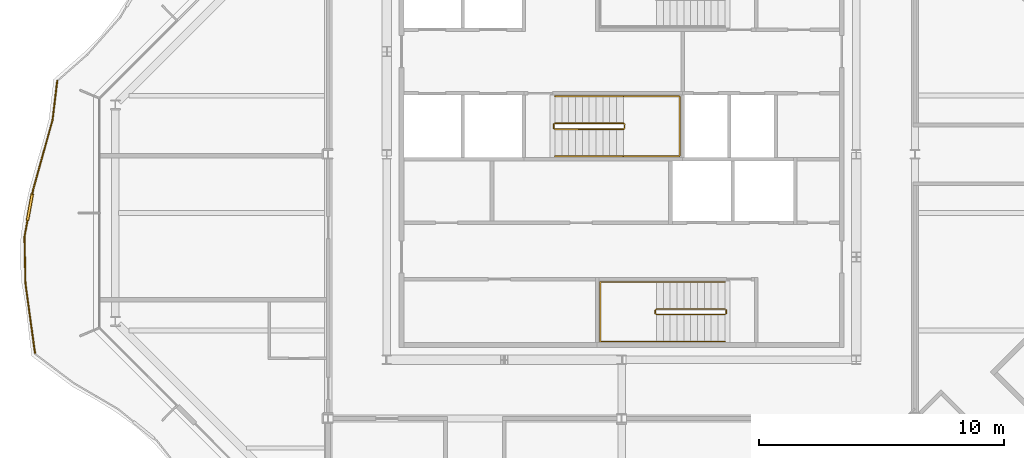
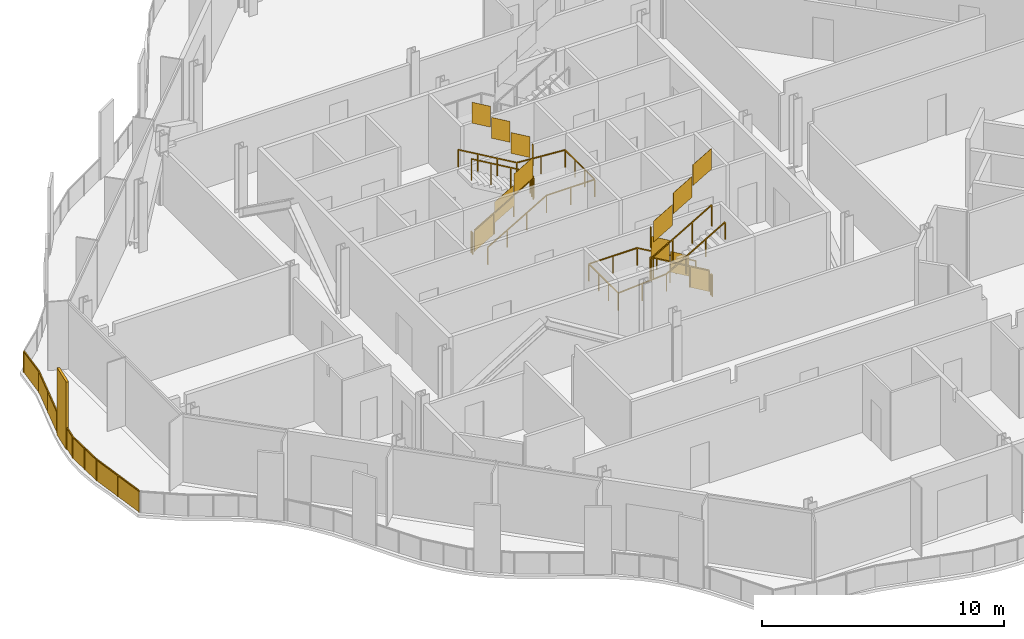
# One storey, part 14 of 17: 7 railings.
"""IFC4 building model written with IfcOpenShell, lengths in metres."""

from ifc_helpers import new_model, si_unit, direction, frame, origin, origin_2d, place, context, subcontext, project, spatial, polyline, rectangle, outline, extrude, material, type_object, element, save


model = new_model("IFC4")

# Units and contexts
model_context = context("Model", 3, precision=1e-05, world=origin(), true_north=direction((0.0, 1.0)))
body_context = subcontext(model_context, "Body", "Model", "MODEL_VIEW")
ifc_project = project(units=[si_unit("LENGTHUNIT", "METRE"), si_unit("AREAUNIT", "SQUARE_METRE"), si_unit("VOLUMEUNIT", "CUBIC_METRE"), si_unit("PLANEANGLEUNIT", "RADIAN"), si_unit("MASSUNIT", "GRAM", prefix="KILO")], contexts=[model_context])

# Site, building, storey
site_placement = place(None, origin())
site = spatial("IfcSite", under=ifc_project, at=site_placement, CompositionType="ELEMENT")
building_placement = place(site_placement, origin())
building = spatial("IfcBuilding", under=site, at=building_placement, Name="Cairn Pilgrim Tower", CompositionType="ELEMENT")
storey_placement = place(building_placement, frame((0.0, 0.0, 243.0)))
storey = spatial("IfcBuildingStorey", under=building, at=storey_placement, Name="L62", CompositionType="ELEMENT", Elevation=243.0)

# Railings
ifc_material_1 = material(Name="Bronze anodised aluminium rail, posts and fin screens with laminated glass infill", Category="aluminium")
railing_type_1 = type_object("IfcRailingType", Name="BALCONY GUARD WITH FIN SCREENS", PredefinedType="GUARDRAIL", material=ifc_material_1)
railing_1_placement = place(storey_placement, frame((-15.87744140625, 5.396240234375, 0.0)))
element("IfcRailing", 1, at=railing_1_placement, inside=storey, type_object=railing_type_1, Name="Balcony guard BGF-6 with fin screens", PredefinedType="GUARDRAIL", context=body_context, shape_type="SweptSolid", body=[
    extrude(rectangle(XDim=0.050048828125, YDim=0.050048828125, at=origin_2d()), frame((0.0, 0.0, 1.0751953125), z_axis=(-0.118047753881, -0.993007919306, 0.0), x_axis=(0.993007919306, -0.118047753881, 0.0)), (0.0, 0.0, 1.0), 1.5966796875),
    extrude(rectangle(XDim=0.050048828125, YDim=0.050048828125, at=origin_2d()), frame((-0.1884765625, -1.58544921875, 1.0751953125), z_axis=(-0.26848056208, -0.963285102026, 0.0), x_axis=(0.963285102026, -0.26848056208, 0.0)), (0.0, 0.0, 1.0), 2.994384765625),
    extrude(rectangle(XDim=1.10009765625, YDim=0.110107421875, at=origin_2d()), frame((-1.117431640625, -5.158447265625, 0.0), z_axis=(0.0, 0.0, 1.0), x_axis=(-0.178684983345, -0.983906335343, 0.0)), (0.0, 0.0, 1.0), 3.39990234375),
    extrude(rectangle(XDim=0.050048828125, YDim=0.050048828125, at=origin_2d()), frame((-0.992431640625, -4.469970703125, 1.0751953125), z_axis=(-0.178684983345, -0.983906335343, 0.0), x_axis=(0.983906335343, -0.178684983345, 0.0)), (0.0, 0.0, 1.0), 0.149658203125),
    extrude(rectangle(XDim=0.050048828125, YDim=0.050048828125, at=origin_2d()), frame((-1.2158203125, -5.699462890625, 1.0751953125), z_axis=(-0.178684983345, -0.983906335343, 0.0), x_axis=(0.983906335343, -0.178684983345, 0.0)), (0.0, 0.0, 1.0), 0.679443359375),
    extrude(rectangle(XDim=0.050048828125, YDim=0.050048828125, at=origin_2d()), frame((-1.337158203125, -6.3681640625, 1.0751953125), z_axis=(0.020078340876, -0.999798409795, 0.0), x_axis=(0.999798409795, 0.020078340876, 0.0)), (0.0, 0.0, 1.0), 1.89697265625),
    extrude(rectangle(XDim=0.050048828125, YDim=0.050048828125, at=origin_2d()), frame((-1.299072265625, -8.2646484375, 1.0751953125), z_axis=(0.135455995671, -0.990783363423, 0.0), x_axis=(0.990783363423, 0.135455995671, 0.0)), (0.0, 0.0, 1.0), 2.8603515625),
    extrude(rectangle(XDim=0.050048828125, YDim=0.050048828125, at=origin_2d()), origin(), (0.0, 0.0, 1.0), 1.050048828125),
    extrude(rectangle(XDim=0.050048828125, YDim=0.050048828125, at=origin_2d()), frame((-0.1884765625, -1.58544921875, 0.0)), (0.0, 0.0, 1.0), 1.050048828125),
    extrude(rectangle(XDim=0.050048828125, YDim=0.050048828125, at=origin_2d()), frame((-0.59033203125, -3.02783203125, 0.0)), (0.0, 0.0, 1.0), 1.050048828125),
    extrude(rectangle(XDim=0.050048828125, YDim=0.050048828125, at=origin_2d()), frame((-0.992431640625, -4.469970703125, 0.0)), (0.0, 0.0, 1.0), 1.050048828125),
    extrude(rectangle(XDim=0.050048828125, YDim=0.050048828125, at=origin_2d()), frame((-1.0146484375, -4.5927734375, 0.0)), (0.0, 0.0, 1.0), 1.050048828125),
    extrude(rectangle(XDim=0.050048828125, YDim=0.050048828125, at=origin_2d()), frame((-1.22021484375, -5.72412109375, 0.0)), (0.0, 0.0, 1.0), 1.050048828125),
    extrude(rectangle(XDim=0.050048828125, YDim=0.050048828125, at=origin_2d()), frame((-1.337158203125, -6.3681640625, 0.0)), (0.0, 0.0, 1.0), 1.050048828125),
    extrude(rectangle(XDim=0.050048828125, YDim=0.050048828125, at=origin_2d()), frame((-1.318115234375, -7.31640625, 0.0)), (0.0, 0.0, 1.0), 1.050048828125),
    extrude(rectangle(XDim=0.050048828125, YDim=0.050048828125, at=origin_2d()), frame((-1.299072265625, -8.2646484375, 0.0)), (0.0, 0.0, 1.0), 1.050048828125),
    extrude(rectangle(XDim=0.050048828125, YDim=0.050048828125, at=origin_2d()), frame((-1.10546875, -9.681640625, 0.0)), (0.0, 0.0, 1.0), 1.050048828125),
    extrude(rectangle(XDim=0.050048828125, YDim=0.050048828125, at=origin_2d()), frame((-0.91162109375, -11.0986328125, 0.0)), (0.0, 0.0, 1.0), 1.050048828125),
    extrude(outline(polyline([(0.02490234375, 0.0), (1.571533203125, 0.0), (1.571533203125, 1.050048828125), (0.02490234375, 1.050048828125), (0.02490234375, 0.0)])), frame((0.005859375, -0.000732421875, 0.0), z_axis=(-0.993007919306, 0.118047753881, 0.0), x_axis=(-0.118047753881, -0.993007919306, 0.0)), (0.0, 0.0, 1.0), 0.011962890625),
    extrude(outline(polyline([(0.02490234375, 0.0), (1.47216796875, 0.0), (1.47216796875, 1.050048828125), (0.02490234375, 1.050048828125), (0.02490234375, 0.0)])), frame((-0.1826171875, -1.587158203125, 0.0), z_axis=(-0.963285102026, 0.26848056208, 0.0), x_axis=(-0.26848056208, -0.963285102026, 0.0)), (0.0, 0.0, 1.0), 0.011962890625),
    extrude(outline(polyline([(0.02490234375, 0.0), (1.47216796875, 0.0), (1.47216796875, 1.050048828125), (0.02490234375, 1.050048828125), (0.02490234375, 0.0)])), frame((-0.584716796875, -3.029296875, 0.0), z_axis=(-0.963285102026, 0.26848056208, 0.0), x_axis=(-0.26848056208, -0.963285102026, 0.0)), (0.0, 0.0, 1.0), 0.011962890625),
    extrude(outline(polyline([(0.02490234375, 0.0), (0.099609375, 0.0), (0.099609375, 1.050048828125), (0.02490234375, 1.050048828125), (0.02490234375, 0.0)])), frame((-0.986572265625, -4.470947265625, 0.0), z_axis=(-0.983906335343, 0.178684983345, 0.0), x_axis=(-0.178684983345, -0.983906335343, 0.0)), (0.0, 0.0, 1.0), 0.011962890625),
    extrude(outline(polyline([(0.02490234375, 0.0), (0.62939453125, 0.0), (0.62939453125, 1.050048828125), (0.02490234375, 1.050048828125), (0.02490234375, 0.0)])), frame((-1.21435546875, -5.725341796875, 0.0), z_axis=(-0.983906335343, 0.178684983345, 0.0), x_axis=(-0.178684983345, -0.983906335343, 0.0)), (0.0, 0.0, 1.0), 0.011962890625),
    extrude(outline(polyline([(0.02490234375, 0.0), (0.92333984375, 0.0), (0.92333984375, 1.050048828125), (0.02490234375, 1.050048828125), (0.02490234375, 0.0)])), frame((-1.331298828125, -6.3681640625, 0.0), z_axis=(-0.999798409795, -0.020078340876, 0.0), x_axis=(0.020078340876, -0.999798409795, 0.0)), (0.0, 0.0, 1.0), 0.011962890625),
    extrude(outline(polyline([(0.02490234375, 0.0), (0.92333984375, 0.0), (0.92333984375, 1.050048828125), (0.02490234375, 1.050048828125), (0.02490234375, 0.0)])), frame((-1.312255859375, -7.31640625, 0.0), z_axis=(-0.999798409795, -0.020078340876, 0.0), x_axis=(0.020078340876, -0.999798409795, 0.0)), (0.0, 0.0, 1.0), 0.011962890625),
    extrude(outline(polyline([(0.02490234375, 0.0), (1.405029296875, 0.0), (1.405029296875, 1.050048828125), (0.02490234375, 1.050048828125), (0.02490234375, 0.0)])), frame((-1.293212890625, -8.263916015625, 0.0), z_axis=(-0.990783363423, -0.135455995671, 0.0), x_axis=(0.135455995671, -0.990783363423, 0.0)), (0.0, 0.0, 1.0), 0.011962890625),
    extrude(outline(polyline([(0.02490234375, 0.0), (1.405029296875, 0.0), (1.405029296875, 1.050048828125), (0.02490234375, 1.050048828125), (0.02490234375, 0.0)])), frame((-1.099365234375, -9.680908203125, 0.0), z_axis=(-0.990783363423, -0.135455995671, 0.0), x_axis=(0.135455995671, -0.990783363423, 0.0)), (0.0, 0.0, 1.0), 0.011962890625),
])
ifc_material_2 = material(Name="Painted steel", Category="steel")
railing_type_2 = type_object("IfcRailingType", Name="STAIR GUARD 1100", PredefinedType="GUARDRAIL", material=ifc_material_2)
railing_2_placement = place(storey_placement, frame((11.425048828125, -3.925048828125, 0.16357421875)))
element("IfcRailing", 2, at=railing_2_placement, inside=storey, type_object=railing_type_2, Name="L62 ST-A stair guard 1", PredefinedType="GUARDRAIL", context=body_context, shape_type="SweptSolid", body=[
    extrude(rectangle(XDim=0.048095703125, YDim=0.048095703125, at=origin_2d()), frame((0.0, 0.0, 1.076171875), z_axis=(-0.863360870873, 0.0, 0.504586966384), x_axis=(0.0, -1.0, 0.0)), (0.0, 0.0, 1.0), 3.2431640625),
    extrude(rectangle(XDim=0.048095703125, YDim=0.048095703125, at=origin_2d()), frame((-2.800048828125, 0.0, 2.71240234375), z_axis=(-0.707106781187, -0.707106781187, 0.0), x_axis=(0.707106781187, -0.707106781187, 0.0)), (0.0, 0.0, 1.0), 0.07080078125),
    extrude(rectangle(XDim=0.048095703125, YDim=0.048095703125, at=origin_2d()), frame((-2.85009765625, -0.050048828125, 2.71240234375), z_axis=(0.0, -1.0, 0.0), x_axis=(1.0, 0.0, 0.0)), (0.0, 0.0, 1.0), 0.125),
    extrude(rectangle(XDim=0.048095703125, YDim=0.048095703125, at=origin_2d()), frame((-2.85009765625, -0.175048828125, 2.71240234375), z_axis=(0.280916556609, -0.279546231943, 0.91811752648), x_axis=(0.705375805398, 0.708833529934, 0.0)), (0.0, 0.0, 1.0), 0.17822265625),
    extrude(rectangle(XDim=0.048095703125, YDim=0.048095703125, at=origin_2d()), frame((-2.800048828125, -0.224853515625, 2.8759765625), z_axis=(0.863360870873, 0.0, 0.504586966384), x_axis=(0.0, 1.0, 0.0)), (0.0, 0.0, 1.0), 3.2431640625),
    extrude(rectangle(XDim=0.0419921875, YDim=0.0419921875, at=origin_2d()), origin(), (0.0, 0.0, 1.0), 1.052001953125),
    extrude(rectangle(XDim=0.0419921875, YDim=0.0419921875, at=origin_2d()), frame((-0.933349609375, 0.0, 0.54541015625)), (0.0, 0.0, 1.0), 1.052001953125),
    extrude(rectangle(XDim=0.0419921875, YDim=0.0419921875, at=origin_2d()), frame((-1.86669921875, 0.0, 1.091064453125)), (0.0, 0.0, 1.0), 1.052001953125),
    extrude(rectangle(XDim=0.0419921875, YDim=0.0419921875, at=origin_2d()), frame((-2.800048828125, 0.0, 1.636474609375)), (0.0, 0.0, 1.0), 1.052001953125),
    extrude(rectangle(XDim=0.0419921875, YDim=0.0419921875, at=origin_2d()), frame((-2.85009765625, -0.050048828125, 1.636474609375)), (0.0, 0.0, 1.0), 1.052001953125),
    extrude(rectangle(XDim=0.0419921875, YDim=0.0419921875, at=origin_2d()), frame((-2.85009765625, -0.175048828125, 1.636474609375)), (0.0, 0.0, 1.0), 1.052001953125),
    extrude(rectangle(XDim=0.0419921875, YDim=0.0419921875, at=origin_2d()), frame((-2.800048828125, -0.224853515625, 1.800048828125)), (0.0, 0.0, 1.0), 1.052001953125),
    extrude(rectangle(XDim=0.0419921875, YDim=0.0419921875, at=origin_2d()), frame((-1.86669921875, -0.224853515625, 2.345458984375)), (0.0, 0.0, 1.0), 1.052001953125),
    extrude(rectangle(XDim=0.0419921875, YDim=0.0419921875, at=origin_2d()), frame((-0.933349609375, -0.224853515625, 2.89111328125)), (0.0, 0.0, 1.0), 1.052001953125),
    extrude(rectangle(XDim=0.0419921875, YDim=0.0419921875, at=origin_2d()), frame((0.0, -0.224853515625, 3.4365234375)), (0.0, 0.0, 1.0), 1.052001953125),
    extrude(outline(polyline([(0.02099609375, 0.01220703125), (0.912353515625, 0.533203125), (0.912353515625, 1.585205078125), (0.02099609375, 1.064208984375), (0.02099609375, 0.01220703125)])), frame((0.0, -0.005859375, 0.0), z_axis=(0.0, 1.0, 0.0), x_axis=(-1.0, 0.0, 0.0)), (0.0, 0.0, 1.0), 0.011962890625),
    extrude(outline(polyline([(0.02099609375, 0.557861328125), (0.912353515625, 1.07861328125), (0.912353515625, 2.130615234375), (0.02099609375, 1.60986328125), (0.02099609375, 0.557861328125)])), frame((-0.933349609375, -0.005859375, 0.54541015625), z_axis=(0.0, 1.0, 0.0), x_axis=(-1.0, 0.0, 0.0)), (0.0, 0.0, 1.0), 0.011962890625),
    extrude(outline(polyline([(0.02099609375, 1.103271484375), (0.912353515625, 1.624267578125), (0.912353515625, 2.67626953125), (0.02099609375, 2.1552734375), (0.02099609375, 1.103271484375)])), frame((-1.86669921875, -0.005859375, 1.091064453125), z_axis=(0.0, 1.0, 0.0), x_axis=(-1.0, 0.0, 0.0)), (0.0, 0.0, 1.0), 0.011962890625),
    extrude(outline(polyline([(0.02099609375, 1.636474609375), (0.10400390625, 1.636474609375), (0.10400390625, 2.6884765625), (0.02099609375, 2.6884765625), (0.02099609375, 1.636474609375)])), frame((-2.84423828125, -0.050048828125, 1.636474609375), z_axis=(-1.0, 0.0, 0.0), x_axis=(0.0, -1.0, 0.0)), (0.0, 0.0, 1.0), 0.011962890625),
    extrude(outline(polyline([(0.02099609375, 1.812255859375), (0.912353515625, 2.333251953125), (0.912353515625, 3.38525390625), (0.02099609375, 2.8642578125), (0.02099609375, 1.812255859375)])), frame((-2.800048828125, -0.21875, 1.800048828125), z_axis=(0.0, -1.0, 0.0), x_axis=(1.0, 0.0, 0.0)), (0.0, 0.0, 1.0), 0.011962890625),
    extrude(outline(polyline([(0.02099609375, 2.35791015625), (0.912353515625, 2.878662109375), (0.912353515625, 3.9306640625), (0.02099609375, 3.409912109375), (0.02099609375, 2.35791015625)])), frame((-1.86669921875, -0.21875, 2.345458984375), z_axis=(0.0, -1.0, 0.0), x_axis=(1.0, 0.0, 0.0)), (0.0, 0.0, 1.0), 0.011962890625),
    extrude(outline(polyline([(0.02099609375, 2.9033203125), (0.912353515625, 3.42431640625), (0.912353515625, 4.476318359375), (0.02099609375, 3.955322265625), (0.02099609375, 2.9033203125)])), frame((-0.933349609375, -0.21875, 2.89111328125), z_axis=(0.0, -1.0, 0.0), x_axis=(1.0, 0.0, 0.0)), (0.0, 0.0, 1.0), 0.011962890625),
])
railing_3_placement = place(storey_placement, frame((11.47509765625, -3.97509765625, 0.0)))
element("IfcRailing", 3, at=railing_3_placement, inside=storey, type_object=railing_type_2, Name="L62 ST-A stair guard 2", PredefinedType="GUARDRAIL", context=body_context, shape_type="SweptSolid", body=[
    extrude(rectangle(XDim=0.048095703125, YDim=0.048095703125, at=origin_2d()), frame((0.0, 0.0, 1.076171875), z_axis=(0.0, -1.0, 0.0), x_axis=(1.0, 0.0, 0.0)), (0.0, 0.0, 1.0), 0.125),
    extrude(rectangle(XDim=0.0419921875, YDim=0.0419921875, at=origin_2d()), origin(), (0.0, 0.0, 1.0), 1.052001953125),
    extrude(rectangle(XDim=0.0419921875, YDim=0.0419921875, at=origin_2d()), frame((0.0, -0.125, 0.0)), (0.0, 0.0, 1.0), 1.052001953125),
    extrude(outline(polyline([(0.02099609375, 0.0), (0.10400390625, 0.0), (0.10400390625, 1.052001953125), (0.02099609375, 1.052001953125), (0.02099609375, 0.0)])), frame((0.005859375, 0.0, 0.0), z_axis=(-1.0, 0.0, 0.0), x_axis=(0.0, -1.0, 0.0)), (0.0, 0.0, 1.0), 0.011962890625),
])
railing_4_placement = place(storey_placement, frame((4.47509765625, 3.425048828125, 0.16357421875)))
element("IfcRailing", 4, at=railing_4_placement, inside=storey, type_object=railing_type_2, Name="L62 ST-B stair guard 1", PredefinedType="GUARDRAIL", context=body_context, shape_type="SweptSolid", body=[
    extrude(rectangle(XDim=0.048095703125, YDim=0.048095703125, at=origin_2d()), frame((0.0, 0.0, 1.076171875), z_axis=(0.863341702679, 0.0, 0.504619762213), x_axis=(0.0, 1.0, 0.0)), (0.0, 0.0, 1.0), 3.242919921875),
    extrude(rectangle(XDim=0.048095703125, YDim=0.048095703125, at=origin_2d()), frame((2.7998046875, 0.0, 2.71240234375), z_axis=(0.707106781187, 0.707106781187, 0.0), x_axis=(-0.707106781187, 0.707106781187, 0.0)), (0.0, 0.0, 1.0), 0.07080078125),
    extrude(rectangle(XDim=0.048095703125, YDim=0.048095703125, at=origin_2d()), frame((2.849853515625, 0.050048828125, 2.71240234375), z_axis=(0.0, 1.0, 0.0), x_axis=(-1.0, 0.0, 0.0)), (0.0, 0.0, 1.0), 0.14990234375),
    extrude(rectangle(XDim=0.048095703125, YDim=0.048095703125, at=origin_2d()), frame((2.849853515625, 0.199951171875, 2.71240234375), z_axis=(-0.280808744504, 0.280808744504, 0.917765164963), x_axis=(-0.707106781187, -0.707106781187, 0.0)), (0.0, 0.0, 1.0), 0.17822265625),
    extrude(rectangle(XDim=0.048095703125, YDim=0.048095703125, at=origin_2d()), frame((2.7998046875, 0.25, 2.8759765625), z_axis=(-0.863341702679, 0.0, 0.504619762213), x_axis=(0.0, -1.0, 0.0)), (0.0, 0.0, 1.0), 3.242919921875),
    extrude(rectangle(XDim=0.0419921875, YDim=0.0419921875, at=origin_2d()), origin(), (0.0, 0.0, 1.0), 1.052001953125),
    extrude(rectangle(XDim=0.0419921875, YDim=0.0419921875, at=origin_2d()), frame((0.933349609375, 0.0, 0.54541015625)), (0.0, 0.0, 1.0), 1.052001953125),
    extrude(rectangle(XDim=0.0419921875, YDim=0.0419921875, at=origin_2d()), frame((1.866455078125, 0.0, 1.091064453125)), (0.0, 0.0, 1.0), 1.052001953125),
    extrude(rectangle(XDim=0.0419921875, YDim=0.0419921875, at=origin_2d()), frame((2.7998046875, 0.0, 1.636474609375)), (0.0, 0.0, 1.0), 1.052001953125),
    extrude(rectangle(XDim=0.0419921875, YDim=0.0419921875, at=origin_2d()), frame((2.849853515625, 0.050048828125, 1.636474609375)), (0.0, 0.0, 1.0), 1.052001953125),
    extrude(rectangle(XDim=0.0419921875, YDim=0.0419921875, at=origin_2d()), frame((2.849853515625, 0.199951171875, 1.636474609375)), (0.0, 0.0, 1.0), 1.052001953125),
    extrude(rectangle(XDim=0.0419921875, YDim=0.0419921875, at=origin_2d()), frame((2.7998046875, 0.25, 1.800048828125)), (0.0, 0.0, 1.0), 1.052001953125),
    extrude(rectangle(XDim=0.0419921875, YDim=0.0419921875, at=origin_2d()), frame((1.866455078125, 0.25, 2.345458984375)), (0.0, 0.0, 1.0), 1.052001953125),
    extrude(rectangle(XDim=0.0419921875, YDim=0.0419921875, at=origin_2d()), frame((0.933349609375, 0.25, 2.89111328125)), (0.0, 0.0, 1.0), 1.052001953125),
    extrude(rectangle(XDim=0.0419921875, YDim=0.0419921875, at=origin_2d()), frame((0.0, 0.25, 3.4365234375)), (0.0, 0.0, 1.0), 1.052001953125),
    extrude(outline(polyline([(0.02099609375, 0.01220703125), (0.912353515625, 0.533203125), (0.912353515625, 1.585205078125), (0.02099609375, 1.064208984375), (0.02099609375, 0.01220703125)])), frame((0.0, 0.005859375, 0.0), z_axis=(0.0, -1.0, 0.0), x_axis=(1.0, 0.0, 0.0)), (0.0, 0.0, 1.0), 0.011962890625),
    extrude(outline(polyline([(0.02099609375, 0.557861328125), (0.912353515625, 1.07861328125), (0.912353515625, 2.130615234375), (0.02099609375, 1.60986328125), (0.02099609375, 0.557861328125)])), frame((0.933349609375, 0.005859375, 0.54541015625), z_axis=(0.0, -1.0, 0.0), x_axis=(1.0, 0.0, 0.0)), (0.0, 0.0, 1.0), 0.011962890625),
    extrude(outline(polyline([(0.02099609375, 1.103271484375), (0.912353515625, 1.624267578125), (0.912353515625, 2.67626953125), (0.02099609375, 2.1552734375), (0.02099609375, 1.103271484375)])), frame((1.866455078125, 0.005859375, 1.091064453125), z_axis=(0.0, -1.0, 0.0), x_axis=(1.0, 0.0, 0.0)), (0.0, 0.0, 1.0), 0.011962890625),
    extrude(outline(polyline([(0.02099609375, 1.636474609375), (0.12890625, 1.636474609375), (0.12890625, 2.6884765625), (0.02099609375, 2.6884765625), (0.02099609375, 1.636474609375)])), frame((2.84375, 0.050048828125, 1.636474609375), z_axis=(1.0, 0.0, 0.0), x_axis=(0.0, 1.0, 0.0)), (0.0, 0.0, 1.0), 0.011962890625),
    extrude(outline(polyline([(0.02099609375, 1.812255859375), (0.912353515625, 2.333251953125), (0.912353515625, 3.38525390625), (0.02099609375, 2.8642578125), (0.02099609375, 1.812255859375)])), frame((2.7998046875, 0.244140625, 1.800048828125), z_axis=(0.0, 1.0, 0.0), x_axis=(-1.0, 0.0, 0.0)), (0.0, 0.0, 1.0), 0.011962890625),
    extrude(outline(polyline([(0.02099609375, 2.35791015625), (0.912353515625, 2.878662109375), (0.912353515625, 3.9306640625), (0.02099609375, 3.409912109375), (0.02099609375, 2.35791015625)])), frame((1.866455078125, 0.244140625, 2.345458984375), z_axis=(0.0, 1.0, 0.0), x_axis=(-1.0, 0.0, 0.0)), (0.0, 0.0, 1.0), 0.011962890625),
    extrude(outline(polyline([(0.02099609375, 2.9033203125), (0.912353515625, 3.42431640625), (0.912353515625, 4.476318359375), (0.02099609375, 3.955322265625), (0.02099609375, 2.9033203125)])), frame((0.933349609375, 0.244140625, 2.89111328125), z_axis=(0.0, 1.0, 0.0), x_axis=(-1.0, 0.0, 0.0)), (0.0, 0.0, 1.0), 0.011962890625),
])
railing_5_placement = place(storey_placement, frame((4.425048828125, 3.47509765625, 0.0)))
element("IfcRailing", 5, at=railing_5_placement, inside=storey, type_object=railing_type_2, Name="L62 ST-B stair guard 2", PredefinedType="GUARDRAIL", context=body_context, shape_type="SweptSolid", body=[
    extrude(rectangle(XDim=0.048095703125, YDim=0.048095703125, at=origin_2d()), frame((0.0, 0.0, 1.076171875), z_axis=(0.0, 1.0, 0.0), x_axis=(-1.0, 0.0, 0.0)), (0.0, 0.0, 1.0), 0.14990234375),
    extrude(rectangle(XDim=0.0419921875, YDim=0.0419921875, at=origin_2d()), origin(), (0.0, 0.0, 1.0), 1.052001953125),
    extrude(rectangle(XDim=0.0419921875, YDim=0.0419921875, at=origin_2d()), frame((0.0, 0.14990234375, 0.0)), (0.0, 0.0, 1.0), 1.052001953125),
    extrude(outline(polyline([(0.02099609375, 0.0), (0.12890625, 0.0), (0.12890625, 1.052001953125), (0.02099609375, 1.052001953125), (0.02099609375, 0.0)])), frame((-0.005859375, 0.0, 0.0), z_axis=(1.0, 0.0, 0.0), x_axis=(0.0, 1.0, 0.0)), (0.0, 0.0, 1.0), 0.011962890625),
])
railing_type_3 = type_object("IfcRailingType", Name="STAIR HANDRAIL 900", PredefinedType="HANDRAIL", material=ifc_material_2)
railing_6_placement = place(storey_placement, frame((11.425048828125, -2.824951171875, 0.16357421875)))
element("IfcRailing", 6, at=railing_6_placement, inside=storey, type_object=railing_type_3, Name="L62 ST-A stair handrail 1", PredefinedType="HANDRAIL", context=body_context, shape_type="SweptSolid", body=[
    extrude(rectangle(XDim=0.048095703125, YDim=0.048095703125, at=origin_2d()), frame((0.0, 0.0, 0.8759765625), z_axis=(-0.863360870873, 0.0, 0.504586966384), x_axis=(0.0, -1.0, 0.0)), (0.0, 0.0, 1.0), 3.2431640625),
    extrude(rectangle(XDim=0.048095703125, YDim=0.048095703125, at=origin_2d()), frame((-2.800048828125, 0.0, 2.51220703125), z_axis=(-1.0, 0.0, 0.0), x_axis=(0.0, -1.0, 0.0)), (0.0, 0.0, 1.0), 2.300048828125),
    extrude(rectangle(XDim=0.048095703125, YDim=0.048095703125, at=origin_2d()), frame((-5.10009765625, 0.0, 2.51220703125), z_axis=(0.0, -1.0, 0.0), x_axis=(1.0, 0.0, 0.0)), (0.0, 0.0, 1.0), 2.425048828125),
    extrude(rectangle(XDim=0.048095703125, YDim=0.048095703125, at=origin_2d()), frame((-5.10009765625, -2.425048828125, 2.51220703125), z_axis=(0.997480687736, 0.0, 0.070938548008), x_axis=(0.0, 1.0, 0.0)), (0.0, 0.0, 1.0), 2.305908203125),
    extrude(rectangle(XDim=0.048095703125, YDim=0.048095703125, at=origin_2d()), frame((-2.800048828125, -2.425048828125, 2.67578125), z_axis=(0.863360870873, 0.0, 0.504586966384), x_axis=(0.0, 1.0, 0.0)), (0.0, 0.0, 1.0), 3.2431640625),
    extrude(rectangle(XDim=0.0419921875, YDim=0.0419921875, at=origin_2d()), origin(), (0.0, 0.0, 1.0), 0.851806640625),
    extrude(rectangle(XDim=0.0419921875, YDim=0.0419921875, at=origin_2d()), frame((-0.933349609375, 0.0, 0.54541015625)), (0.0, 0.0, 1.0), 0.851806640625),
    extrude(rectangle(XDim=0.0419921875, YDim=0.0419921875, at=origin_2d()), frame((-1.86669921875, 0.0, 1.091064453125)), (0.0, 0.0, 1.0), 0.851806640625),
    extrude(rectangle(XDim=0.0419921875, YDim=0.0419921875, at=origin_2d()), frame((-2.800048828125, 0.0, 1.636474609375)), (0.0, 0.0, 1.0), 0.851806640625),
    extrude(rectangle(XDim=0.0419921875, YDim=0.0419921875, at=origin_2d()), frame((-3.9501953125, 0.0, 1.636474609375)), (0.0, 0.0, 1.0), 0.851806640625),
    extrude(rectangle(XDim=0.0419921875, YDim=0.0419921875, at=origin_2d()), frame((-5.10009765625, 0.0, 1.636474609375)), (0.0, 0.0, 1.0), 0.851806640625),
    extrude(rectangle(XDim=0.0419921875, YDim=0.0419921875, at=origin_2d()), frame((-5.10009765625, -0.808349609375, 1.636474609375)), (0.0, 0.0, 1.0), 0.851806640625),
    extrude(rectangle(XDim=0.0419921875, YDim=0.0419921875, at=origin_2d()), frame((-5.10009765625, -1.61669921875, 1.636474609375)), (0.0, 0.0, 1.0), 0.851806640625),
    extrude(rectangle(XDim=0.0419921875, YDim=0.0419921875, at=origin_2d()), frame((-5.10009765625, -2.425048828125, 1.636474609375)), (0.0, 0.0, 1.0), 0.851806640625),
    extrude(rectangle(XDim=0.0419921875, YDim=0.0419921875, at=origin_2d()), frame((-3.9501953125, -2.425048828125, 1.71826171875)), (0.0, 0.0, 1.0), 0.851806640625),
    extrude(rectangle(XDim=0.0419921875, YDim=0.0419921875, at=origin_2d()), frame((-2.800048828125, -2.425048828125, 1.800048828125)), (0.0, 0.0, 1.0), 0.851806640625),
    extrude(rectangle(XDim=0.0419921875, YDim=0.0419921875, at=origin_2d()), frame((-1.86669921875, -2.425048828125, 2.345458984375)), (0.0, 0.0, 1.0), 0.851806640625),
    extrude(rectangle(XDim=0.0419921875, YDim=0.0419921875, at=origin_2d()), frame((-0.933349609375, -2.425048828125, 2.89111328125)), (0.0, 0.0, 1.0), 0.851806640625),
    extrude(rectangle(XDim=0.0419921875, YDim=0.0419921875, at=origin_2d()), frame((0.0, -2.425048828125, 3.4365234375)), (0.0, 0.0, 1.0), 0.851806640625),
])
railing_7_placement = place(storey_placement, frame((4.47509765625, 2.324951171875, 0.16357421875)))
element("IfcRailing", 7, at=railing_7_placement, inside=storey, type_object=railing_type_3, Name="L62 ST-B stair handrail 1", PredefinedType="HANDRAIL", context=body_context, shape_type="SweptSolid", body=[
    extrude(rectangle(XDim=0.048095703125, YDim=0.048095703125, at=origin_2d()), frame((0.0, 0.0, 0.8759765625), z_axis=(0.863341702679, 0.0, 0.504619762213), x_axis=(0.0, 1.0, 0.0)), (0.0, 0.0, 1.0), 3.242919921875),
    extrude(rectangle(XDim=0.048095703125, YDim=0.048095703125, at=origin_2d()), frame((2.7998046875, 0.0, 2.51220703125), z_axis=(1.0, 0.0, 0.0), x_axis=(0.0, 1.0, 0.0)), (0.0, 0.0, 1.0), 2.300048828125),
    extrude(rectangle(XDim=0.048095703125, YDim=0.048095703125, at=origin_2d()), frame((5.099853515625, 0.0, 2.51220703125), z_axis=(0.0, 1.0, 0.0), x_axis=(-1.0, 0.0, 0.0)), (0.0, 0.0, 1.0), 2.449951171875),
    extrude(rectangle(XDim=0.048095703125, YDim=0.048095703125, at=origin_2d()), frame((5.099853515625, 2.449951171875, 2.51220703125), z_axis=(-0.997480687736, 0.0, 0.070938548008), x_axis=(0.0, -1.0, 0.0)), (0.0, 0.0, 1.0), 2.305908203125),
    extrude(rectangle(XDim=0.048095703125, YDim=0.048095703125, at=origin_2d()), frame((2.7998046875, 2.449951171875, 2.67578125), z_axis=(-0.863341702679, 0.0, 0.504619762213), x_axis=(0.0, -1.0, 0.0)), (0.0, 0.0, 1.0), 3.242919921875),
    extrude(rectangle(XDim=0.0419921875, YDim=0.0419921875, at=origin_2d()), origin(), (0.0, 0.0, 1.0), 0.851806640625),
    extrude(rectangle(XDim=0.0419921875, YDim=0.0419921875, at=origin_2d()), frame((0.933349609375, 0.0, 0.54541015625)), (0.0, 0.0, 1.0), 0.851806640625),
    extrude(rectangle(XDim=0.0419921875, YDim=0.0419921875, at=origin_2d()), frame((1.866455078125, 0.0, 1.091064453125)), (0.0, 0.0, 1.0), 0.851806640625),
    extrude(rectangle(XDim=0.0419921875, YDim=0.0419921875, at=origin_2d()), frame((2.7998046875, 0.0, 1.636474609375)), (0.0, 0.0, 1.0), 0.851806640625),
    extrude(rectangle(XDim=0.0419921875, YDim=0.0419921875, at=origin_2d()), frame((3.94970703125, 0.0, 1.636474609375)), (0.0, 0.0, 1.0), 0.851806640625),
    extrude(rectangle(XDim=0.0419921875, YDim=0.0419921875, at=origin_2d()), frame((5.099853515625, 0.0, 1.636474609375)), (0.0, 0.0, 1.0), 0.851806640625),
    extrude(rectangle(XDim=0.0419921875, YDim=0.0419921875, at=origin_2d()), frame((5.099853515625, 0.816650390625, 1.636474609375)), (0.0, 0.0, 1.0), 0.851806640625),
    extrude(rectangle(XDim=0.0419921875, YDim=0.0419921875, at=origin_2d()), frame((5.099853515625, 1.63330078125, 1.636474609375)), (0.0, 0.0, 1.0), 0.851806640625),
    extrude(rectangle(XDim=0.0419921875, YDim=0.0419921875, at=origin_2d()), frame((5.099853515625, 2.449951171875, 1.636474609375)), (0.0, 0.0, 1.0), 0.851806640625),
    extrude(rectangle(XDim=0.0419921875, YDim=0.0419921875, at=origin_2d()), frame((3.94970703125, 2.449951171875, 1.71826171875)), (0.0, 0.0, 1.0), 0.851806640625),
    extrude(rectangle(XDim=0.0419921875, YDim=0.0419921875, at=origin_2d()), frame((2.7998046875, 2.449951171875, 1.800048828125)), (0.0, 0.0, 1.0), 0.851806640625),
    extrude(rectangle(XDim=0.0419921875, YDim=0.0419921875, at=origin_2d()), frame((1.866455078125, 2.449951171875, 2.345458984375)), (0.0, 0.0, 1.0), 0.851806640625),
    extrude(rectangle(XDim=0.0419921875, YDim=0.0419921875, at=origin_2d()), frame((0.933349609375, 2.449951171875, 2.89111328125)), (0.0, 0.0, 1.0), 0.851806640625),
    extrude(rectangle(XDim=0.0419921875, YDim=0.0419921875, at=origin_2d()), frame((0.0, 2.449951171875, 3.4365234375)), (0.0, 0.0, 1.0), 0.851806640625),
])

save(model, "model.ifc")
